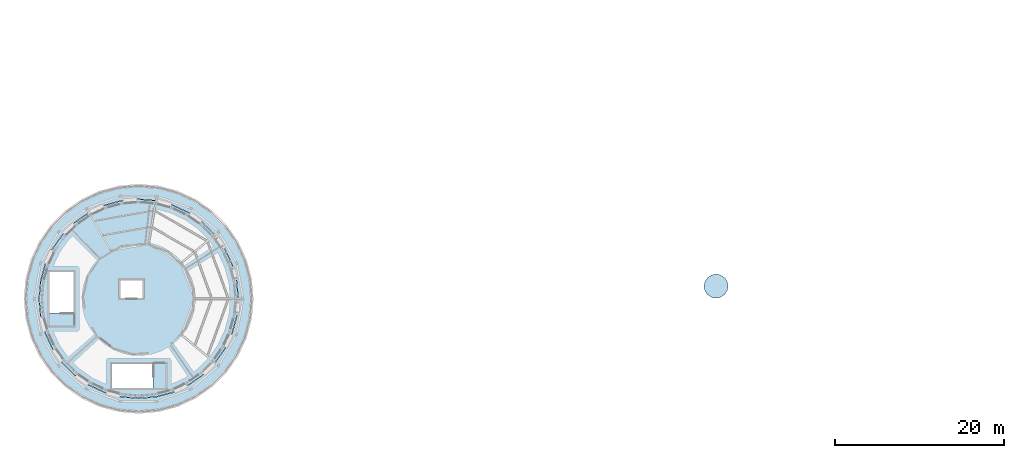
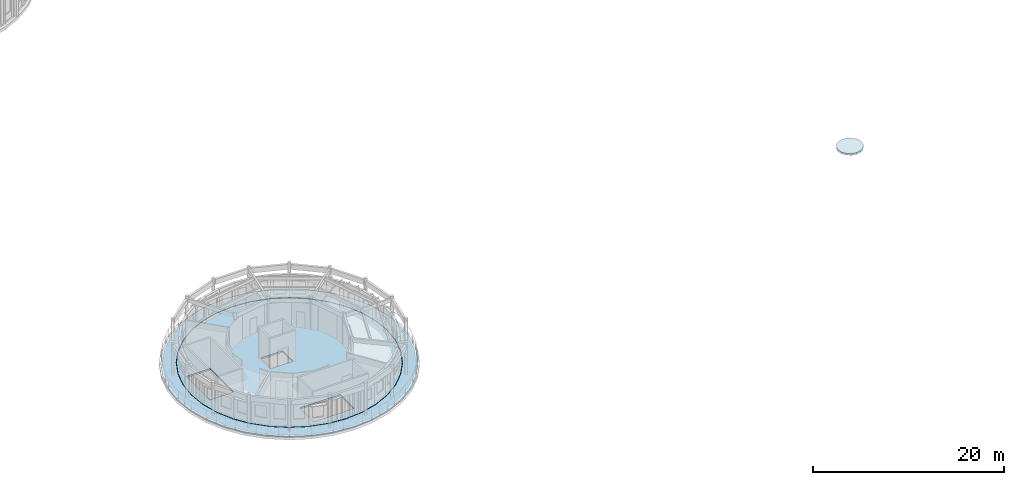
# One storey, part 9 of 30: 3 slabs.
"""IFC4 building model written with IfcOpenShell, lengths in metres."""

import ifcopenshell
import ifcopenshell.guid

model = None  # the IFC model being written
_history = None  # IfcOwnerHistory: only IFC2X3 demands one
_inside = {}  # id of a spatial element -> (the spatial element, [elements in it])
_under = {}  # id of a project, library or spatial element -> (it, [spatial elements below it])
_declared = {}  # id of a project -> (the project, [libraries it declares])
_typed = {}  # id of a type object -> (the type object, [elements of that type])
_made_of = {}  # id of a material, layer set ... -> (it, [elements and type objects made of it])


def new_model(schema):
    """Start an empty IFC model of exactly this schema.

    Asked for "IFC4X3", IfcOpenShell would pick the latest addendum, in which some entities
    have other attributes; the version numbers below select the first issue.
    IFC2X3 requires an IfcOwnerHistory on every rooted entity: one is made here for all.
    """
    global model, _history
    if schema == "IFC4X3":
        model = ifcopenshell.file(schema_version=(4, 3, 0, 0))
    else:
        model = ifcopenshell.file(schema=schema)
    _inside.clear()
    _under.clear()
    _declared.clear()
    _typed.clear()
    _made_of.clear()
    _history = None
    if model.schema == "IFC2X3":
        org = make("IfcOrganization", Name="unknown")
        user = make(
            "IfcPersonAndOrganization",
            ThePerson=make("IfcPerson", FamilyName="unknown"),
            TheOrganization=org,
        )
        app = make(
            "IfcApplication",
            ApplicationDeveloper=org,
            Version="unknown",
            ApplicationFullName="unknown",
            ApplicationIdentifier="unknown",
        )
        _history = make(
            "IfcOwnerHistory",
            OwningUser=user,
            OwningApplication=app,
            ChangeAction="ADDED",
            CreationDate=0,
        )
    return model


def make(cls, **values):
    """One entity of the class cls with the attributes given. An attribute that is None is left unset."""
    return model.create_entity(
        cls, **{name: value for name, value in values.items() if value is not None}
    )


def rooted(cls, **values):
    """An entity with a GlobalId (a new one), such as an element, a storey or a relation."""
    return make(cls, GlobalId=ifcopenshell.guid.new(), OwnerHistory=_history, **values)


def si_unit(unit_type, name, prefix=None):
    """IfcSIUnit, for example si_unit("LENGTHUNIT", "METRE", prefix="MILLI")."""
    return make("IfcSIUnit", UnitType=unit_type, Prefix=prefix, Name=name)


def assignment(units):
    """IfcUnitAssignment: the units of a project."""
    return None if units is None else make("IfcUnitAssignment", Units=units)


def point(xyz):
    """IfcCartesianPoint."""
    return None if xyz is None else make("IfcCartesianPoint", Coordinates=xyz)


def direction(xyz):
    """IfcDirection."""
    return None if xyz is None else make("IfcDirection", DirectionRatios=xyz)


def frame(location, z_axis=None, x_axis=None):
    """IfcAxis2Placement3D, a coordinate frame: its origin and axes. An axis left out is left unset."""
    return make(
        "IfcAxis2Placement3D",
        Location=point(location),
        Axis=direction(z_axis),
        RefDirection=direction(x_axis),
    )


def origin():
    """The frame at (0, 0, 0) with its axes left unset."""
    return frame((0.0, 0.0, 0.0))


def place(relative_to, where):
    """IfcLocalPlacement: puts the frame where relative to a parent placement (None: the world)."""
    return make(
        "IfcLocalPlacement", PlacementRelTo=relative_to, RelativePlacement=where
    )


def context(
    kind, dimensions, precision=None, world=None, true_north=None, identifier=None
):
    """IfcGeometricRepresentationContext, for example the 3D "Model" context."""
    return make(
        "IfcGeometricRepresentationContext",
        ContextIdentifier=identifier,
        ContextType=kind,
        CoordinateSpaceDimension=dimensions,
        Precision=precision,
        WorldCoordinateSystem=world,
        TrueNorth=true_north,
    )


def subcontext(parent, identifier, kind, view, scale=None):
    """IfcGeometricRepresentationSubContext, for example "Body" below "Model"."""
    return make(
        "IfcGeometricRepresentationSubContext",
        ContextIdentifier=identifier,
        ContextType=kind,
        ParentContext=parent,
        TargetScale=scale,
        TargetView=view,
    )


def project(units=None, contexts=None):
    """IfcProject with its units and contexts."""
    return rooted(
        "IfcProject",
        Name="project",
        RepresentationContexts=contexts,
        UnitsInContext=assignment(units),
    )


def spatial(cls, under=None, at=None, **own):
    """A site, building, storey or space (cls), placed at a placement, below another one or the project."""
    s = rooted(cls, ObjectPlacement=at, **own)
    if under is not None:
        _under.setdefault(under.id(), (under, []))[1].append(s)
    return s


def polyline(points):
    """IfcPolyline through the points."""
    return make("IfcPolyline", Points=[point(p) for p in points])


def outline(outer, holes=None, kind="AREA"):
    """IfcArbitraryClosedProfileDef: a profile drawn as a closed curve; with holes, ...WithVoids."""
    if holes is None:
        return make("IfcArbitraryClosedProfileDef", ProfileType=kind, OuterCurve=outer)
    return make(
        "IfcArbitraryProfileDefWithVoids",
        ProfileType=kind,
        OuterCurve=outer,
        InnerCurves=holes,
    )


def extrude(swept, where, along, depth):
    """IfcExtrudedAreaSolid: the profile swept, set in the frame where, extruded along a direction by depth."""
    return make(
        "IfcExtrudedAreaSolid",
        SweptArea=swept,
        Position=where,
        ExtrudedDirection=direction(along),
        Depth=depth,
    )


def shape(context_of_items, identifier, shape_type, items):
    """IfcShapeRepresentation: the items that make up one representation, for example the "Body"."""
    return make(
        "IfcShapeRepresentation",
        ContextOfItems=context_of_items,
        RepresentationIdentifier=identifier,
        RepresentationType=shape_type,
        Items=items,
    )


def material(Name=None, Category=None):
    """IfcMaterial."""
    return make("IfcMaterial", Name=Name, Category=Category)


def layer(
    of_material, thickness, ventilated=None, Name=None, Category=None, Priority=None
):
    """IfcMaterialLayer: one layer of a wall or slab, of a material (None: an air gap)."""
    return make(
        "IfcMaterialLayer",
        Material=of_material,
        LayerThickness=thickness,
        IsVentilated=ventilated,
        Name=Name,
        Category=Category,
        Priority=Priority,
    )


def layer_set(layers, Name=None):
    """IfcMaterialLayerSet."""
    return make("IfcMaterialLayerSet", MaterialLayers=layers, LayerSetName=Name)


def made_of(thing, what):
    """Note that an element or type object is made of a material, layer set ...; save() writes the relation."""
    if what is not None:
        _made_of.setdefault(what.id(), (what, []))[1].append(thing)
    return thing


def type_object(cls, material=None, **own):
    """A type object (cls), such as IfcWallType, which elements share."""
    return made_of(rooted(cls, **own), material)


def element(
    cls,
    number,
    at=None,
    inside=None,
    cuts=None,
    type_object=None,
    material=None,
    context=None,
    identifier="Body",
    shape_type=None,
    held_by="IfcProductDefinitionShape",
    body=None,
    shapes=None,
    **own,
):
    """One element of the class cls, such as IfcWall. Its Tag is "e" and its number.

    at: its placement. inside: the storey or other place that contains it. cuts: it is an
    opening in that element (IfcRelVoidsElement). A single representation is given by context,
    identifier, shape_type and body (its items); several are given by shapes. held_by: the class
    of the entity that holds the representations. save() writes the other relations.
    """
    e = rooted(cls, Tag="e%d" % number, ObjectPlacement=at, **own)
    if body is not None:
        shapes = [shape(context, identifier, shape_type, body)]
    if shapes is not None:
        e.Representation = make(held_by, Representations=shapes)
    if inside is not None:
        _inside.setdefault(inside.id(), (inside, []))[1].append(e)
    if cuts is not None:
        rooted(
            "IfcRelVoidsElement", RelatingBuildingElement=cuts, RelatedOpeningElement=e
        )
    if type_object is not None:
        _typed.setdefault(type_object.id(), (type_object, []))[1].append(e)
    return made_of(e, material)


def aggregate(whole, parts):
    """IfcRelAggregates: a whole, such as a stair, and the parts it consists of."""
    return rooted("IfcRelAggregates", RelatingObject=whole, RelatedObjects=parts)


def save(model, path):
    """Write the relations noted so far, then the file.

    IfcRelAggregates (storeys below a building ...), IfcRelContainedInSpatialStructure (elements
    in a storey), IfcRelDefinesByType, IfcRelAssociatesMaterial and IfcRelDeclares: one each for
    every whole, place, type object, material and project.
    """
    for whole, parts in _under.values():
        aggregate(whole, parts)
    for where, things in _inside.values():
        rooted(
            "IfcRelContainedInSpatialStructure",
            RelatedElements=things,
            RelatingStructure=where,
        )
    for kind, things in _typed.values():
        rooted("IfcRelDefinesByType", RelatedObjects=things, RelatingType=kind)
    for what, things in _made_of.values():
        rooted("IfcRelAssociatesMaterial", RelatedObjects=things, RelatingMaterial=what)
    for by, libraries in _declared.values():
        rooted("IfcRelDeclares", RelatingContext=by, RelatedDefinitions=libraries)
    model.write(path)


model = new_model("IFC4")

# Units and contexts
model_context = context("Model", 3, precision=1e-05, world=origin(), true_north=direction((0.0, 1.0)))
body_context = subcontext(model_context, "Body", "Model", "MODEL_VIEW")
ifc_project = project(units=[si_unit("LENGTHUNIT", "METRE"), si_unit("AREAUNIT", "SQUARE_METRE"), si_unit("VOLUMEUNIT", "CUBIC_METRE"), si_unit("PLANEANGLEUNIT", "RADIAN"), si_unit("MASSUNIT", "GRAM", prefix="KILO")], contexts=[model_context])

# Site, building, storey
site_placement = place(None, origin())
site = spatial("IfcSite", under=ifc_project, at=site_placement, CompositionType="ELEMENT")
building_placement = place(site_placement, origin())
building = spatial("IfcBuilding", under=site, at=building_placement, Name="Aldenvaro Health Centre", CompositionType="ELEMENT")
storey_placement = place(building_placement, frame((0.0, 0.0, 17.14990234375)))
storey = spatial("IfcBuildingStorey", under=building, at=storey_placement, Name="L04", CompositionType="ELEMENT", Elevation=17.14990234375)

# Slabs
ifc_material_1 = material(Name="Cross-laminated timber CLT E1", Category="wood")
ifc_layer_1 = layer(ifc_material_1, 0.205078125, Name="Cross-laminated timber CLT E1", Category="wood")
ifc_layer_set_1 = layer_set([ifc_layer_1], Name="Cross-laminated timber CLT E1")
slab_type_1 = type_object("IfcSlabType", Name="SLB-CLT-205", PredefinedType="FLOOR", material=ifc_layer_set_1)
slab_1_placement = place(storey_placement, frame((0.0, 0.0, -0.204833984375)))
element("IfcSlab", 1, at=slab_1_placement, inside=storey, type_object=slab_type_1, Name="D5 L04 floor slab", PredefinedType="FLOOR", context=body_context, shape_type="SweptSolid", body=[
    extrude(outline(polyline([(30.300048828125, 18.5), (30.12109375, 20.549072265625), (29.587890625, 22.535888671875), (28.718994140625, 24.39990234375), (27.5390625, 26.0849609375), (26.0849609375, 27.5390625), (24.39990234375, 28.718994140625), (22.535888671875, 29.587890625), (20.549072265625, 30.12109375), (18.5, 30.300048828125), (16.450927734375, 30.12109375), (14.464111328125, 29.587890625), (12.60009765625, 28.718994140625), (10.9150390625, 27.5390625), (9.4609375, 26.0849609375), (8.281005859375, 24.39990234375), (7.412109375, 22.535888671875), (6.87890625, 20.549072265625), (6.699951171875, 18.5), (6.87890625, 16.450927734375), (7.412109375, 14.464111328125), (8.281005859375, 12.60009765625), (9.4609375, 10.9150390625), (10.9150390625, 9.4609375), (12.60009765625, 8.281005859375), (14.464111328125, 7.412109375), (16.450927734375, 6.87890625), (18.5, 6.699951171875), (20.549072265625, 6.87890625), (22.535888671875, 7.412109375), (24.39990234375, 8.281005859375), (26.0849609375, 9.4609375), (27.5390625, 10.9150390625), (28.718994140625, 12.60009765625), (29.587890625, 14.464111328125), (30.12109375, 16.450927734375), (30.300048828125, 18.5)]), holes=[polyline([(10.800048828125, 16.800048828125), (10.800048828125, 21.699951171875), (7.89990234375, 21.699951171875), (7.89990234375, 16.800048828125), (10.800048828125, 16.800048828125)]), polyline([(20.199951171875, 10.800048828125), (15.300048828125, 10.800048828125), (15.300048828125, 7.89990234375), (20.199951171875, 7.89990234375), (20.199951171875, 10.800048828125)]), polyline([(16.324951171875, 18.574951171875), (18.97509765625, 18.574951171875), (18.97509765625, 20.72509765625), (16.324951171875, 20.72509765625), (16.324951171875, 18.574951171875)])]), origin(), (0.0, 0.0, 1.0), 0.204833984375),
])
ifc_layer_2 = layer(ifc_material_1, 0.235107421875, Name="Cross-laminated timber CLT E1", Category="wood")
ifc_layer_set_2 = layer_set([ifc_layer_2], Name="Cross-laminated timber CLT E1")
slab_type_2 = type_object("IfcSlabType", Name="SLB-ROOF-235", PredefinedType="ROOF", material=ifc_layer_set_2)
slab_2_placement = place(storey_placement, frame((0.0, 0.0, 2.5400390625)))
element("IfcSlab", 2, at=slab_2_placement, inside=storey, type_object=slab_type_2, Name="Waiting Rotunda Apex Compression Cap", PredefinedType="ROOF", context=body_context, shape_type="SweptSolid", body=[
    extrude(outline(polyline([(88.429931640625, 20.0), (88.321044921875, 20.547119140625), (88.010986328125, 21.010986328125), (87.547119140625, 21.321044921875), (87.0, 21.429931640625), (86.452880859375, 21.321044921875), (85.989013671875, 21.010986328125), (85.678955078125, 20.547119140625), (85.570068359375, 20.0), (85.678955078125, 19.452880859375), (85.989013671875, 18.989013671875), (86.452880859375, 18.678955078125), (87.0, 18.570068359375), (87.547119140625, 18.678955078125), (88.010986328125, 18.989013671875), (88.321044921875, 19.452880859375), (88.429931640625, 20.0)])), origin(), (0.0, 0.0, 1.0), 0.219970703125),
])
ifc_material_2 = material(Name="Concrete f'c 40 MPa", Category="concrete")
ifc_layer_3 = layer(ifc_material_2, 0.205078125, Name="Concrete f'c 40 MPa", Category="concrete")
ifc_layer_set_3 = layer_set([ifc_layer_3], Name="Concrete f'c 40 MPa")
slab_type_3 = type_object("IfcSlabType", Name="SLB-TER-205", PredefinedType="FLOOR", material=ifc_layer_set_3)
slab_3_placement = place(storey_placement, frame((0.0, 0.0, -0.204833984375)))
element("IfcSlab", 3, at=slab_3_placement, inside=storey, type_object=slab_type_3, Name="D5 L04 recovery belvedere terrace slab", PredefinedType="FLOOR", context=body_context, shape_type="SweptSolid", body=[
    extrude(outline(polyline([(31.756103515625, 16.1630859375), (31.14794921875, 13.89599609375), (30.156982421875, 11.77001953125), (28.81103515625, 9.847900390625), (27.152099609375, 8.18896484375), (25.22998046875, 6.843017578125), (23.10400390625, 5.85205078125), (20.8369140625, 5.243896484375), (18.5, 5.0400390625), (16.1630859375, 5.243896484375), (13.89599609375, 5.85205078125), (11.77001953125, 6.843017578125), (9.847900390625, 8.18896484375), (8.18896484375, 9.847900390625), (6.843017578125, 11.77001953125), (5.85205078125, 13.89599609375), (5.243896484375, 16.1630859375), (5.0400390625, 18.5), (5.243896484375, 20.8369140625), (5.85205078125, 23.10400390625), (6.843017578125, 25.22998046875), (8.18896484375, 27.152099609375), (9.847900390625, 28.81103515625), (11.77001953125, 30.156982421875), (13.89599609375, 31.14794921875), (16.1630859375, 31.756103515625), (18.5, 31.9599609375), (20.8369140625, 31.756103515625), (23.10400390625, 31.14794921875), (25.22998046875, 30.156982421875), (27.152099609375, 28.81103515625), (28.81103515625, 27.152099609375), (30.156982421875, 25.22998046875), (31.14794921875, 23.10400390625), (31.756103515625, 20.8369140625), (31.9599609375, 18.5), (31.756103515625, 16.1630859375)]), holes=[polyline([(30.15087890625, 20.553955078125), (29.615966796875, 22.5458984375), (28.7451171875, 24.4150390625), (27.56201171875, 26.10400390625), (26.10400390625, 27.56201171875), (24.4150390625, 28.7451171875), (22.5458984375, 29.615966796875), (20.553955078125, 30.15087890625), (18.5, 30.330078125), (16.446044921875, 30.15087890625), (14.4541015625, 29.615966796875), (12.5849609375, 28.7451171875), (10.89599609375, 27.56201171875), (9.43798828125, 26.10400390625), (8.2548828125, 24.4150390625), (7.384033203125, 22.5458984375), (6.84912109375, 20.553955078125), (6.669921875, 18.5), (6.84912109375, 16.446044921875), (7.384033203125, 14.4541015625), (8.2548828125, 12.5849609375), (9.43798828125, 10.89599609375), (10.89599609375, 9.43798828125), (12.5849609375, 8.2548828125), (14.4541015625, 7.384033203125), (16.446044921875, 6.84912109375), (18.5, 6.669921875), (20.553955078125, 6.84912109375), (22.5458984375, 7.384033203125), (24.4150390625, 8.2548828125), (26.10400390625, 9.43798828125), (27.56201171875, 10.89599609375), (28.7451171875, 12.5849609375), (29.615966796875, 14.4541015625), (30.15087890625, 16.446044921875), (30.330078125, 18.5), (30.15087890625, 20.553955078125)])]), origin(), (0.0, 0.0, 1.0), 0.204833984375),
])

save(model, "model.ifc")
